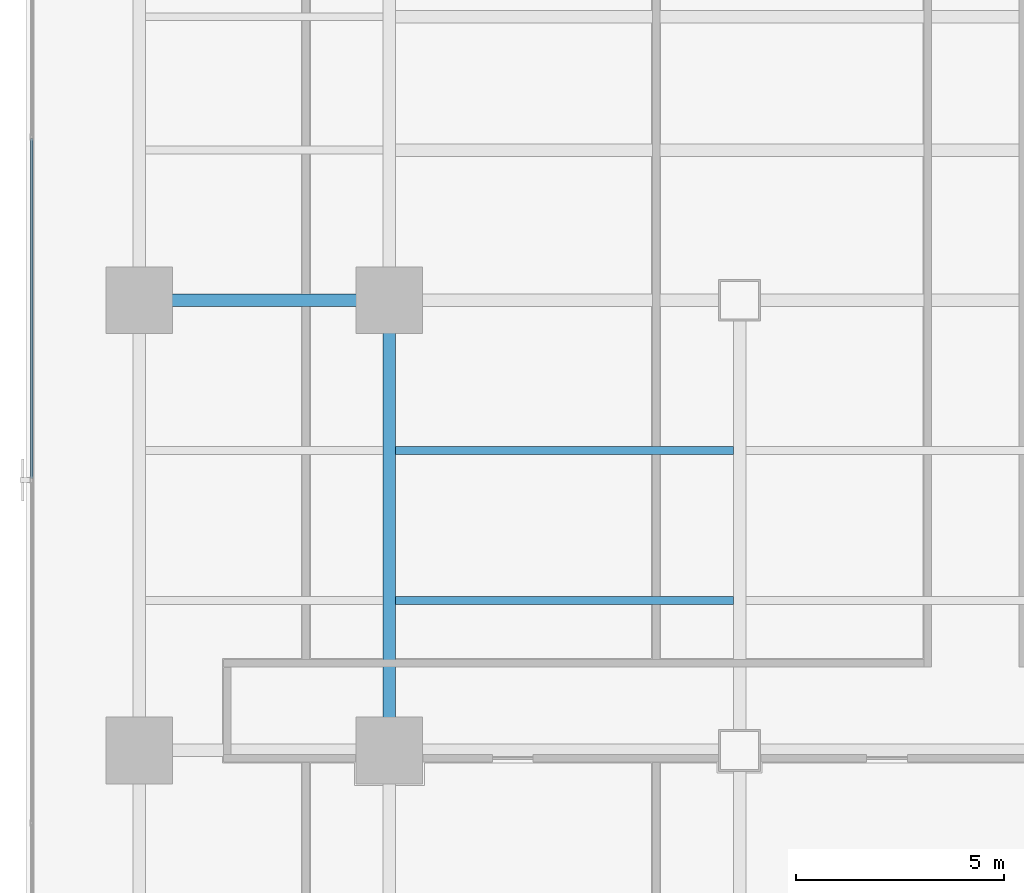
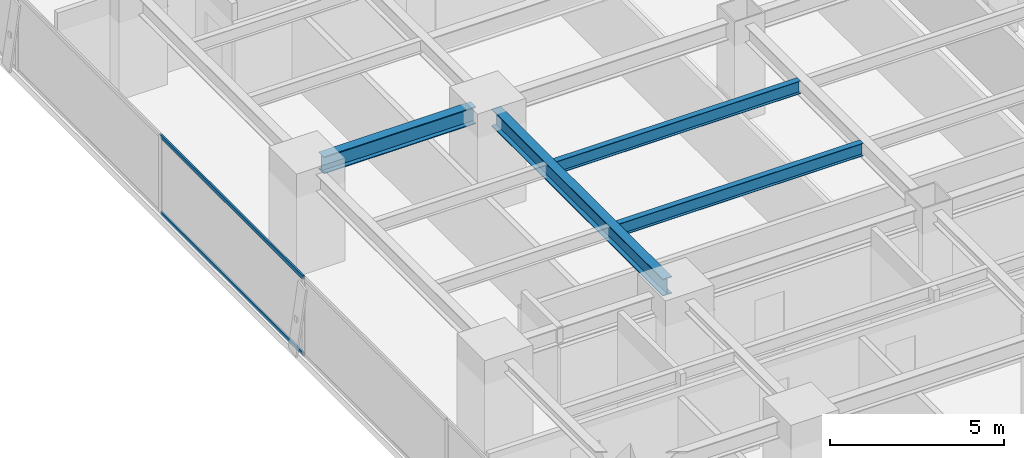
# One storey, part 9 of 36: 4 beams, 2 members, 1 element without a shape of its own.
"""IFC4 building model written with IfcOpenShell, lengths in metres."""

from ifc_helpers import new_model, si_unit, direction, frame, origin, origin_2d, place, context, subcontext, project, spatial, hollow_rectangle, i_section, extrude, source, transform, mapped, material, layer, layer_set, material_profile, profile_set, type_object, element, aggregate, save


model = new_model("IFC4")

# Units and contexts
model_context = context("Model", 3, precision=1e-05, world=origin(), true_north=direction((0.0, 1.0)))
body_context = subcontext(model_context, "Body", "Model", "MODEL_VIEW")
ifc_project = project(units=[si_unit("LENGTHUNIT", "METRE"), si_unit("AREAUNIT", "SQUARE_METRE"), si_unit("VOLUMEUNIT", "CUBIC_METRE"), si_unit("PLANEANGLEUNIT", "RADIAN"), si_unit("MASSUNIT", "GRAM", prefix="KILO")], contexts=[model_context])

# Site, building, storey
site_placement = place(None, origin())
site = spatial("IfcSite", under=ifc_project, at=site_placement, CompositionType="ELEMENT")
building_placement = place(site_placement, origin())
building = spatial("IfcBuilding", under=site, at=building_placement, Name="Sumidabori Civic Tower", CompositionType="ELEMENT")
storey_placement = place(building_placement, frame((0.0, 0.0, 113.60009765625)))
storey = spatial("IfcBuildingStorey", under=building, at=storey_placement, Name="L29", CompositionType="ELEMENT", Elevation=113.60009765625)

# Beams
ifc_material_1 = material(Name="Steel SN490", Category="steel")
ifc_material_profile_1 = material_profile(ifc_material_1, i_section(OverallWidth=0.300048828125, OverallDepth=0.60009765625, WebThickness=0.015380859375, FlangeThickness=0.030029296875, at=origin_2d()), Name="HE 600 B")
ifc_profile_set_1 = profile_set([ifc_material_profile_1], Name="Steel SN490")
beam_type_1 = type_object("IfcBeamType", Name="BM-GIRD-600", PredefinedType="BEAM", material=ifc_profile_set_1)
shared_shape_1 = source(origin(), body_context, "Body", "SweptSolid", [
    extrude(i_section(OverallWidth=0.300048828125, OverallDepth=0.60009765625, WebThickness=0.015380859375, FlangeThickness=0.030029296875, at=origin_2d()), origin(), (0.0, 0.0, 1.0), 5.0400390625),
])
beam_1_placement = place(storey_placement, frame((-22.320068359375, 0.0, 3.059814453125), z_axis=(1.0, 0.0, 0.0), x_axis=(0.0, 1.0, 0.0)))
element("IfcBeam", 1, at=beam_1_placement, inside=storey, type_object=beam_type_1, Name="Primary Girder L29 GX-13", PredefinedType="BEAM", context=body_context, shape_type="MappedRepresentation", body=[
    mapped(shared_shape_1, transform((0.0, 0.0, 0.0), x_axis=(1.0, 0.0, 0.0), y_axis=(0.0, 1.0, 0.0), z_axis=(0.0, 0.0, 1.0), scale=1.0)),
])
shared_shape_2 = source(origin(), body_context, "Body", "SweptSolid", [
    extrude(i_section(OverallWidth=0.300048828125, OverallDepth=0.60009765625, WebThickness=0.015380859375, FlangeThickness=0.030029296875, at=origin_2d()), origin(), (0.0, 0.0, 1.0), 9.840087890625),
])
beam_2_placement = place(storey_placement, frame((-16.800048828125, -10.320068359375, 3.059814453125), z_axis=(0.0, 1.0, 0.0), x_axis=(-1.0, 0.0, 0.0)))
element("IfcBeam", 2, at=beam_2_placement, inside=storey, type_object=beam_type_1, Name="Primary Girder L29 GY-26", PredefinedType="BEAM", context=body_context, shape_type="MappedRepresentation", body=[
    mapped(shared_shape_2, transform((0.0, 0.0, 0.0), x_axis=(1.0, 0.0, 0.0), y_axis=(0.0, 1.0, 0.0), z_axis=(0.0, 0.0, 1.0), scale=1.0)),
])
ifc_material_profile_2 = material_profile(ifc_material_1, i_section(OverallWidth=0.18994140625, OverallDepth=0.449951171875, WebThickness=0.009521484375, FlangeThickness=0.0146484375, at=origin_2d()), Name="IPE 450")
ifc_profile_set_2 = profile_set([ifc_material_profile_2], Name="Steel SN490")
beam_type_2 = type_object("IfcBeamType", Name="BM-JST-450", PredefinedType="JOIST", material=ifc_profile_set_2)
shared_shape_3 = source(origin(), body_context, "Body", "SweptSolid", [
    extrude(i_section(OverallWidth=0.18994140625, OverallDepth=0.449951171875, WebThickness=0.009521484375, FlangeThickness=0.0146484375, at=origin_2d()), origin(), (0.0, 0.0, 1.0), 8.099853515625),
])
for number, where, z_axis, x_axis, name in (
    (3, (-16.64990234375, -7.199951171875, 3.135009765625), (1.0, 0.0, 0.0), (0.0, 1.0, 0.0), "South Bay Floor Joist L29 JSTS-59"),
    (4, (-16.64990234375, -3.60009765625, 3.135009765625), (1.0, 0.0, 0.0), (0.0, 1.0, 0.0), "South Bay Floor Joist L29 JSTS-63"),
):
    element("IfcBeam", number, at=place(storey_placement, frame(where, z_axis=z_axis, x_axis=x_axis)), inside=storey, type_object=beam_type_2, Name=name, PredefinedType="JOIST", context=body_context, shape_type="MappedRepresentation", body=[
        mapped(shared_shape_3, transform((0.0, 0.0, 0.0), x_axis=(1.0, 0.0, 0.0), y_axis=(0.0, 1.0, 0.0), z_axis=(0.0, 0.0, 1.0), scale=1.0)),
    ])

# Curtain wall, members
ifc_material_2 = material(Name="Anodised Bronze Aluminium AW-6063-T6", Category="aluminium")
ifc_layer = layer(ifc_material_2, 0.179931640625, Name="Anodised Bronze Aluminium AW-6063-T6")
ifc_layer_set = layer_set([ifc_layer], Name="Anodised Bronze Aluminium AW-6063-T6")
curtain_wall_type = type_object("IfcCurtainWallType", Name="CW-SYS-3", PredefinedType="NOTDEFINED", material=ifc_layer_set)
curtain_wall_placement = place(storey_placement, origin())
curtain_wall = element("IfcCurtainWall", 5, at=curtain_wall_placement, inside=storey, type_object=curtain_wall_type, Name="Curtain Wall CW:L29:R10", PredefinedType="NOTDEFINED")
ifc_material_profile_3 = material_profile(ifc_material_2, hollow_rectangle(XDim=0.06005859375, YDim=0.1298828125, WallThickness=0.0048828125, at=origin_2d()), Name="ALU TRANSOM 130x60")
ifc_profile_set_3 = profile_set([ifc_material_profile_3], Name="Anodised Bronze Aluminium AW-6063-T6")
member_type = type_object("IfcMemberType", Name="CW-TRN-130", PredefinedType="USERDEFINED", material=ifc_profile_set_3)
shared_shape_4 = source(origin(), body_context, "Body", "SweptSolid", [
    extrude(hollow_rectangle(XDim=0.06005859375, YDim=0.1298828125, WallThickness=0.0048828125, at=origin_2d()), origin(), (0.0, 0.0, 1.0), 8.1630859375),
])
member_1_placement = place(storey_placement, frame((-25.3798828125, 3.881591796875, 0.02978515625), z_axis=(0.0, -1.0, 0.0), x_axis=(1.0, 0.0, 0.0)))
member_1 = element("IfcMember", 6, at=member_1_placement, type_object=member_type, Name="CW-3 transom 3.1", ObjectType="TRANSOM", PredefinedType="USERDEFINED", context=body_context, shape_type="MappedRepresentation", body=[
    mapped(shared_shape_4, transform((0.0, 0.0, 0.0), x_axis=(1.0, 0.0, 0.0), y_axis=(0.0, 1.0, 0.0), z_axis=(0.0, 0.0, 1.0), scale=1.0)),
])
member_2_placement = place(storey_placement, frame((-25.3798828125, 3.881591796875, 2.7099609375), z_axis=(0.0, -1.0, 0.0), x_axis=(1.0, 0.0, 0.0)))
member_2 = element("IfcMember", 7, at=member_2_placement, type_object=member_type, Name="CW-3 transom 3.2", ObjectType="TRANSOM", PredefinedType="USERDEFINED", context=body_context, shape_type="MappedRepresentation", body=[
    mapped(shared_shape_4, transform((0.0, 0.0, 0.0), x_axis=(1.0, 0.0, 0.0), y_axis=(0.0, 1.0, 0.0), z_axis=(0.0, 0.0, 1.0), scale=1.0)),
])
aggregate(curtain_wall, [member_1, member_2])

save(model, "model.ifc")
